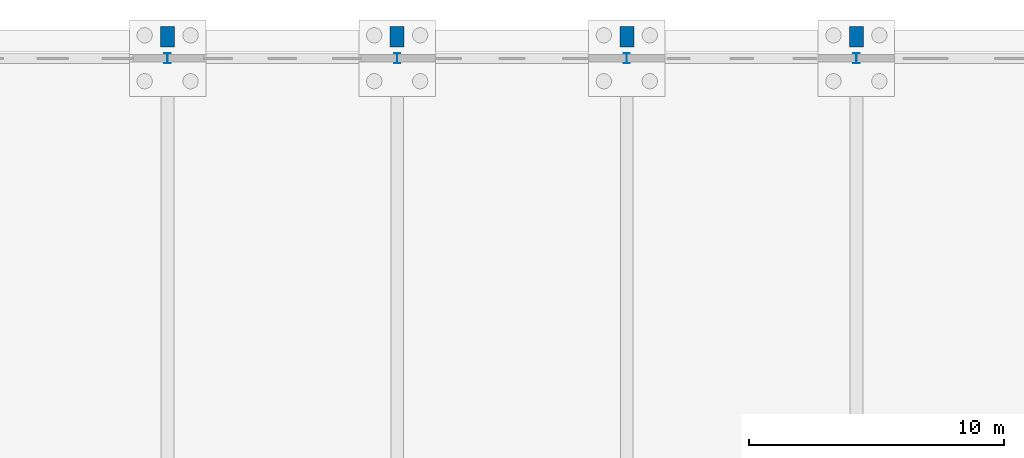
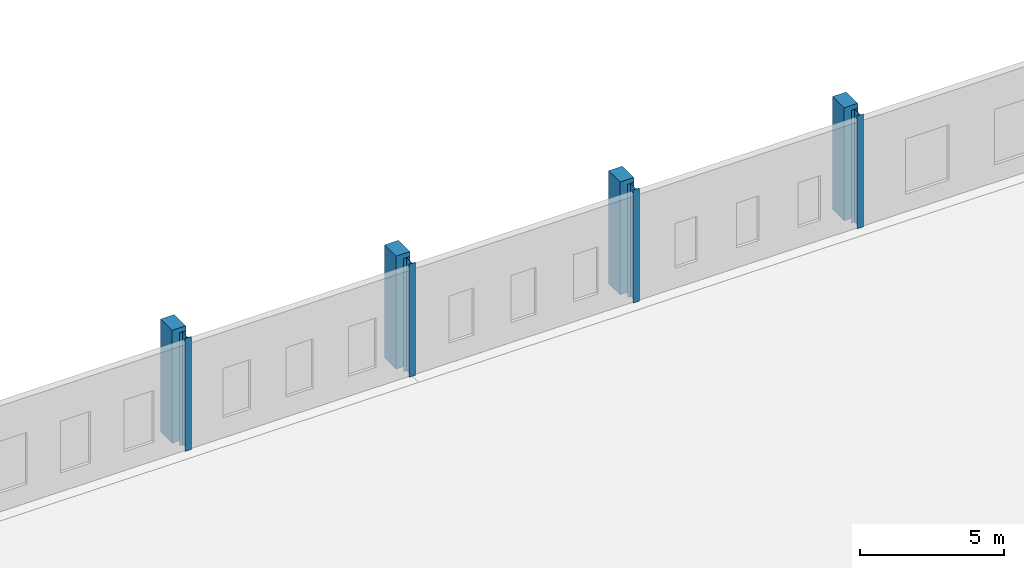
# One storey, part 47 of 112: 8 columns.
"""IFC4 building model written with IfcOpenShell, lengths in metres."""

import ifcopenshell
import ifcopenshell.guid

model = None  # the IFC model being written
_history = None  # IfcOwnerHistory: only IFC2X3 demands one
_inside = {}  # id of a spatial element -> (the spatial element, [elements in it])
_under = {}  # id of a project, library or spatial element -> (it, [spatial elements below it])
_declared = {}  # id of a project -> (the project, [libraries it declares])
_typed = {}  # id of a type object -> (the type object, [elements of that type])
_made_of = {}  # id of a material, layer set ... -> (it, [elements and type objects made of it])


def new_model(schema):
    """Start an empty IFC model of exactly this schema.

    Asked for "IFC4X3", IfcOpenShell would pick the latest addendum, in which some entities
    have other attributes; the version numbers below select the first issue.
    IFC2X3 requires an IfcOwnerHistory on every rooted entity: one is made here for all.
    """
    global model, _history
    if schema == "IFC4X3":
        model = ifcopenshell.file(schema_version=(4, 3, 0, 0))
    else:
        model = ifcopenshell.file(schema=schema)
    _inside.clear()
    _under.clear()
    _declared.clear()
    _typed.clear()
    _made_of.clear()
    _history = None
    if model.schema == "IFC2X3":
        org = make("IfcOrganization", Name="unknown")
        user = make(
            "IfcPersonAndOrganization",
            ThePerson=make("IfcPerson", FamilyName="unknown"),
            TheOrganization=org,
        )
        app = make(
            "IfcApplication",
            ApplicationDeveloper=org,
            Version="unknown",
            ApplicationFullName="unknown",
            ApplicationIdentifier="unknown",
        )
        _history = make(
            "IfcOwnerHistory",
            OwningUser=user,
            OwningApplication=app,
            ChangeAction="ADDED",
            CreationDate=0,
        )
    return model


def make(cls, **values):
    """One entity of the class cls with the attributes given. An attribute that is None is left unset."""
    return model.create_entity(
        cls, **{name: value for name, value in values.items() if value is not None}
    )


def rooted(cls, **values):
    """An entity with a GlobalId (a new one), such as an element, a storey or a relation."""
    return make(cls, GlobalId=ifcopenshell.guid.new(), OwnerHistory=_history, **values)


def si_unit(unit_type, name, prefix=None):
    """IfcSIUnit, for example si_unit("LENGTHUNIT", "METRE", prefix="MILLI")."""
    return make("IfcSIUnit", UnitType=unit_type, Prefix=prefix, Name=name)


def assignment(units):
    """IfcUnitAssignment: the units of a project."""
    return None if units is None else make("IfcUnitAssignment", Units=units)


def point(xyz):
    """IfcCartesianPoint."""
    return None if xyz is None else make("IfcCartesianPoint", Coordinates=xyz)


def direction(xyz):
    """IfcDirection."""
    return None if xyz is None else make("IfcDirection", DirectionRatios=xyz)


def frame(location, z_axis=None, x_axis=None):
    """IfcAxis2Placement3D, a coordinate frame: its origin and axes. An axis left out is left unset."""
    return make(
        "IfcAxis2Placement3D",
        Location=point(location),
        Axis=direction(z_axis),
        RefDirection=direction(x_axis),
    )


def frame_2d(location, x_axis=None):
    """IfcAxis2Placement2D, a coordinate frame in the plane: its origin and x axis."""
    return make(
        "IfcAxis2Placement2D", Location=point(location), RefDirection=direction(x_axis)
    )


def origin():
    """The frame at (0, 0, 0) with its axes left unset."""
    return frame((0.0, 0.0, 0.0))


def origin_2d():
    """The frame at (0, 0) in the plane with its x axis left unset."""
    return frame_2d((0.0, 0.0))


def place(relative_to, where):
    """IfcLocalPlacement: puts the frame where relative to a parent placement (None: the world)."""
    return make(
        "IfcLocalPlacement", PlacementRelTo=relative_to, RelativePlacement=where
    )


def context(
    kind, dimensions, precision=None, world=None, true_north=None, identifier=None
):
    """IfcGeometricRepresentationContext, for example the 3D "Model" context."""
    return make(
        "IfcGeometricRepresentationContext",
        ContextIdentifier=identifier,
        ContextType=kind,
        CoordinateSpaceDimension=dimensions,
        Precision=precision,
        WorldCoordinateSystem=world,
        TrueNorth=true_north,
    )


def subcontext(parent, identifier, kind, view, scale=None):
    """IfcGeometricRepresentationSubContext, for example "Body" below "Model"."""
    return make(
        "IfcGeometricRepresentationSubContext",
        ContextIdentifier=identifier,
        ContextType=kind,
        ParentContext=parent,
        TargetScale=scale,
        TargetView=view,
    )


def project(units=None, contexts=None):
    """IfcProject with its units and contexts."""
    return rooted(
        "IfcProject",
        Name="project",
        RepresentationContexts=contexts,
        UnitsInContext=assignment(units),
    )


def spatial(cls, under=None, at=None, **own):
    """A site, building, storey or space (cls), placed at a placement, below another one or the project."""
    s = rooted(cls, ObjectPlacement=at, **own)
    if under is not None:
        _under.setdefault(under.id(), (under, []))[1].append(s)
    return s


def profile(cls, at=None, kind="AREA", **sizes):
    """A parametric profile (cls). Its sizes go by their IFC names, for example OverallWidth=200.0."""
    return make(cls, ProfileType=kind, Position=at, **sizes)


def rectangle(**sizes):
    """IfcRectangleProfileDef."""
    return profile("IfcRectangleProfileDef", **sizes)


def i_section(**sizes):
    """IfcIShapeProfileDef."""
    return profile("IfcIShapeProfileDef", **sizes)


def extrude(swept, where, along, depth):
    """IfcExtrudedAreaSolid: the profile swept, set in the frame where, extruded along a direction by depth."""
    return make(
        "IfcExtrudedAreaSolid",
        SweptArea=swept,
        Position=where,
        ExtrudedDirection=direction(along),
        Depth=depth,
    )


def shape(context_of_items, identifier, shape_type, items):
    """IfcShapeRepresentation: the items that make up one representation, for example the "Body"."""
    return make(
        "IfcShapeRepresentation",
        ContextOfItems=context_of_items,
        RepresentationIdentifier=identifier,
        RepresentationType=shape_type,
        Items=items,
    )


def material(Name=None, Category=None):
    """IfcMaterial."""
    return make("IfcMaterial", Name=Name, Category=Category)


def material_profile(
    of_material, cross_section, Name=None, Category=None, Priority=None
):
    """IfcMaterialProfile: a cross section and its material."""
    return make(
        "IfcMaterialProfile",
        Name=Name,
        Material=of_material,
        Profile=cross_section,
        Priority=Priority,
        Category=Category,
    )


def profile_set(profiles, Name=None, composite=None):
    """IfcMaterialProfileSet."""
    return make(
        "IfcMaterialProfileSet",
        Name=Name,
        MaterialProfiles=profiles,
        CompositeProfile=composite,
    )


def made_of(thing, what):
    """Note that an element or type object is made of a material, layer set ...; save() writes the relation."""
    if what is not None:
        _made_of.setdefault(what.id(), (what, []))[1].append(thing)
    return thing


def type_object(cls, material=None, **own):
    """A type object (cls), such as IfcWallType, which elements share."""
    return made_of(rooted(cls, **own), material)


def element(
    cls,
    number,
    at=None,
    inside=None,
    cuts=None,
    type_object=None,
    material=None,
    context=None,
    identifier="Body",
    shape_type=None,
    held_by="IfcProductDefinitionShape",
    body=None,
    shapes=None,
    **own,
):
    """One element of the class cls, such as IfcWall. Its Tag is "e" and its number.

    at: its placement. inside: the storey or other place that contains it. cuts: it is an
    opening in that element (IfcRelVoidsElement). A single representation is given by context,
    identifier, shape_type and body (its items); several are given by shapes. held_by: the class
    of the entity that holds the representations. save() writes the other relations.
    """
    e = rooted(cls, Tag="e%d" % number, ObjectPlacement=at, **own)
    if body is not None:
        shapes = [shape(context, identifier, shape_type, body)]
    if shapes is not None:
        e.Representation = make(held_by, Representations=shapes)
    if inside is not None:
        _inside.setdefault(inside.id(), (inside, []))[1].append(e)
    if cuts is not None:
        rooted(
            "IfcRelVoidsElement", RelatingBuildingElement=cuts, RelatedOpeningElement=e
        )
    if type_object is not None:
        _typed.setdefault(type_object.id(), (type_object, []))[1].append(e)
    return made_of(e, material)


def aggregate(whole, parts):
    """IfcRelAggregates: a whole, such as a stair, and the parts it consists of."""
    return rooted("IfcRelAggregates", RelatingObject=whole, RelatedObjects=parts)


def save(model, path):
    """Write the relations noted so far, then the file.

    IfcRelAggregates (storeys below a building ...), IfcRelContainedInSpatialStructure (elements
    in a storey), IfcRelDefinesByType, IfcRelAssociatesMaterial and IfcRelDeclares: one each for
    every whole, place, type object, material and project.
    """
    for whole, parts in _under.values():
        aggregate(whole, parts)
    for where, things in _inside.values():
        rooted(
            "IfcRelContainedInSpatialStructure",
            RelatedElements=things,
            RelatingStructure=where,
        )
    for kind, things in _typed.values():
        rooted("IfcRelDefinesByType", RelatedObjects=things, RelatingType=kind)
    for what, things in _made_of.values():
        rooted("IfcRelAssociatesMaterial", RelatedObjects=things, RelatingMaterial=what)
    for by, libraries in _declared.values():
        rooted("IfcRelDeclares", RelatingContext=by, RelatedDefinitions=libraries)
    model.write(path)


model = new_model("IFC4")

# Units and contexts
model_context = context("Model", 3, precision=1e-05, world=origin(), true_north=direction((0.0, 1.0)))
body_context = subcontext(model_context, "Body", "Model", "MODEL_VIEW")
ifc_project = project(units=[si_unit("LENGTHUNIT", "METRE"), si_unit("AREAUNIT", "SQUARE_METRE"), si_unit("VOLUMEUNIT", "CUBIC_METRE"), si_unit("PLANEANGLEUNIT", "RADIAN"), si_unit("MASSUNIT", "GRAM", prefix="KILO")], contexts=[model_context])

# Site, building, storey
site_placement = place(None, origin())
site = spatial("IfcSite", under=ifc_project, at=site_placement, CompositionType="ELEMENT")
building_placement = place(site_placement, origin())
building = spatial("IfcBuilding", under=site, at=building_placement, Name="Tharagai Park Tramway Depot", CompositionType="ELEMENT")
storey_placement = place(building_placement, origin())
storey = spatial("IfcBuildingStorey", under=building, at=storey_placement, Name="L00", CompositionType="ELEMENT", Elevation=0.0)

# Columns
ifc_material_1 = material(Name="Steel E350", Category="steel")
ifc_material_profile_1 = material_profile(ifc_material_1, i_section(OverallWidth=0.25, OverallDepth=0.39990234375, WebThickness=0.010498046875, FlangeThickness=0.0126953125, FilletRadius=0.013916015625, at=origin_2d()), Name="ISHB 400")
ifc_profile_set_1 = profile_set([ifc_material_profile_1], Name="Steel E350")
column_type_1 = type_object("IfcColumnType", Name="CL-06", PredefinedType="COLUMN", material=ifc_profile_set_1)
for number, where, z_axis, x_axis, name in (
    (1, (72.0, 144.0, 0.0), (0.0, 0.0, 1.0), (1.0, 0.0, 0.0), "L00 Structural Column CL-06 (72,144)"),
    (2, (81.0, 144.0, 0.0), (0.0, 0.0, 1.0), (1.0, 0.0, 0.0), "L00 Structural Column CL-06 (81,144)"),
    (3, (90.0, 144.0, 0.0), (0.0, 0.0, 1.0), (1.0, 0.0, 0.0), "L00 Structural Column CL-06 (90,144)"),
    (4, (99.0, 144.0, 0.0), (0.0, 0.0, 1.0), (1.0, 0.0, 0.0), "L00 Structural Column CL-06 (99,144)"),
):
    element("IfcColumn", number, at=place(storey_placement, frame(where, z_axis=z_axis, x_axis=x_axis)), inside=storey, type_object=column_type_1, Name=name, PredefinedType="COLUMN", context=body_context, shape_type="SweptSolid", body=[
        extrude(i_section(OverallWidth=0.25, OverallDepth=0.39990234375, WebThickness=0.010498046875, FlangeThickness=0.0126953125, FilletRadius=0.013916015625, at=origin_2d()), origin(), (0.0, 0.0, 1.0), 4.800048828125),
    ])
ifc_material_2 = material(Name="Concrete M40", Category="concrete")
ifc_material_profile_2 = material_profile(ifc_material_2, rectangle(XDim=0.550048828125, YDim=0.800048828125, at=origin_2d()), Name="RC 550x800")
ifc_profile_set_2 = profile_set([ifc_material_profile_2], Name="Concrete M40")
column_type_2 = type_object("IfcColumnType", Name="PL-02", PredefinedType="PILASTER", material=ifc_profile_set_2)
for number, where, z_axis, x_axis, name in (
    (5, (72.0, 144.85009765625, 0.0), (0.0, 0.0, 1.0), (1.0, 0.0, 0.0), "L00 Stepped Gothic Buttress PL-02 N-072"),
    (6, (81.0, 144.85009765625, 0.0), (0.0, 0.0, 1.0), (1.0, 0.0, 0.0), "L00 Stepped Gothic Buttress PL-02 N-081"),
    (7, (90.0, 144.85009765625, 0.0), (0.0, 0.0, 1.0), (1.0, 0.0, 0.0), "L00 Stepped Gothic Buttress PL-02 N-090"),
    (8, (99.0, 144.85009765625, 0.0), (0.0, 0.0, 1.0), (1.0, 0.0, 0.0), "L00 Stepped Gothic Buttress PL-02 N-099"),
):
    element("IfcColumn", number, at=place(storey_placement, frame(where, z_axis=z_axis, x_axis=x_axis)), inside=storey, type_object=column_type_2, Name=name, PredefinedType="PILASTER", context=body_context, shape_type="SweptSolid", body=[
        extrude(rectangle(XDim=0.550048828125, YDim=0.800048828125, at=origin_2d()), origin(), (0.0, 0.0, 1.0), 4.800048828125),
    ])

save(model, "model.ifc")
